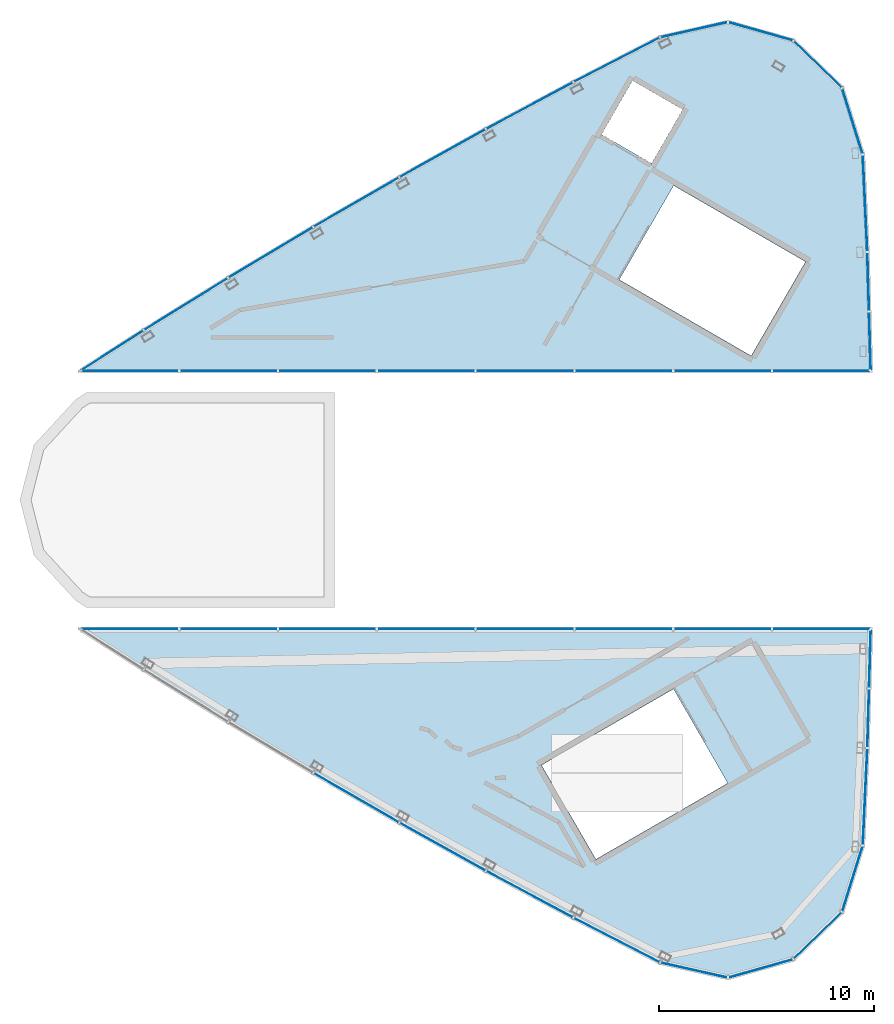
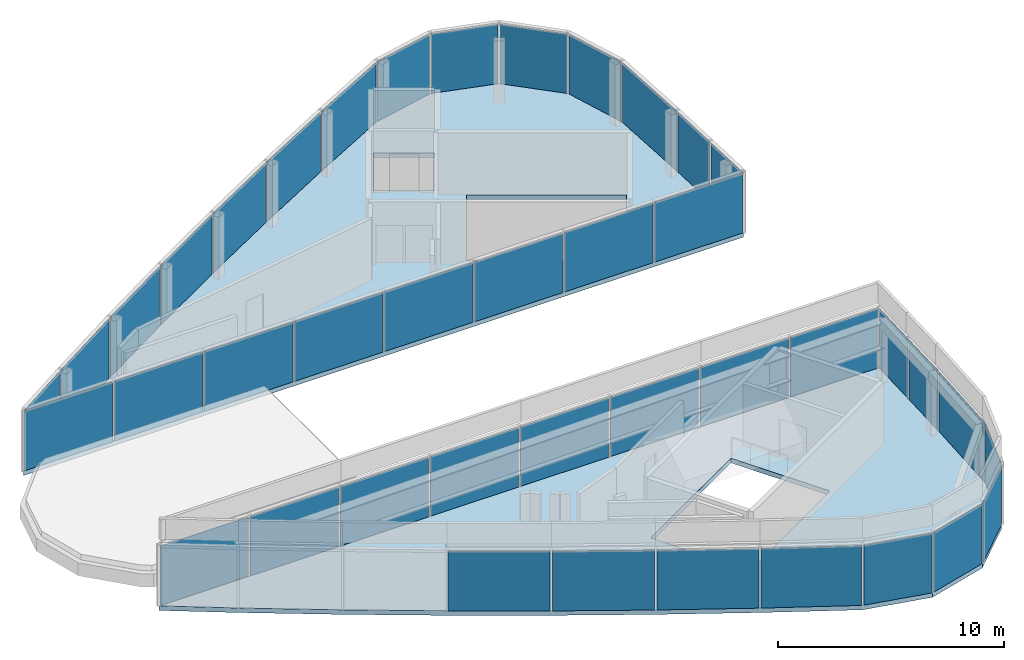
# One storey, part 4 of 7: 41 plates, 2 slabs, 2 elements without a shape of their own.
"""IFC4 building model written with IfcOpenShell, lengths in metres."""

from ifc_helpers import new_model, si_unit, direction, frame, origin, origin_2d, place, context, subcontext, project, spatial, polyline, rectangle, outline, extrude, material, layer, layer_set, type_object, element, aggregate, save


model = new_model("IFC4")

# Units and contexts
model_context = context("Model", 3, precision=1e-05, world=origin(), true_north=direction((0.0, 1.0)))
body_context = subcontext(model_context, "Body", "Model", "MODEL_VIEW")
ifc_project = project(units=[si_unit("LENGTHUNIT", "METRE"), si_unit("AREAUNIT", "SQUARE_METRE"), si_unit("VOLUMEUNIT", "CUBIC_METRE"), si_unit("PLANEANGLEUNIT", "RADIAN"), si_unit("MASSUNIT", "GRAM", prefix="KILO")], contexts=[model_context])

# Site, building, storey
site_placement = place(None, origin())
site = spatial("IfcSite", under=ifc_project, at=site_placement, CompositionType="ELEMENT")
building_placement = place(site_placement, origin())
building = spatial("IfcBuilding", under=site, at=building_placement, Name="Tamra Quay Hotel Tower", CompositionType="ELEMENT")
storey_placement = place(building_placement, frame((0.0, 0.0, 335.0)))
storey = spatial("IfcBuildingStorey", under=building, at=storey_placement, Name="Roof crown 5", CompositionType="ELEMENT", Elevation=335.0)

# Slabs
ifc_material_1 = material(Name="Concrete M60", Category="concrete")
ifc_layer_1 = layer(ifc_material_1, 0.25)
ifc_layer_set_1 = layer_set([ifc_layer_1], Name="FLOOR SLAB PT 250")
slab_type = type_object("IfcSlabType", Name="FLOOR SLAB PT 250", PredefinedType="FLOOR", material=ifc_layer_set_1)
slab_1_placement = place(storey_placement, frame((0.0, 0.0, -0.25)))
element("IfcSlab", 1, at=slab_1_placement, inside=storey, type_object=slab_type, Name="SLAB-Roofcrown5", PredefinedType="FLOOR", context=body_context, shape_type="SweptSolid", body=[
    extrude(outline(polyline([(15.555419921875, -16.063720703125), (14.5908203125, -19.149169921875), (12.3271484375, -21.351318359375), (9.288330078125, -22.21044921875), (6.134033203125, -21.503173828125), (2.10009765625, -19.419677734375), (-1.96435546875, -17.239501953125), (-5.99462890625, -14.995849609375), (-9.989501953125, -12.689453125), (-13.947509765625, -10.321044921875), (-17.867919921875, -7.89111328125), (-20.815673828125, -6.0), (15.926513671875, -6.0), (15.912109375, -6.91845703125), (15.767822265625, -11.528564453125), (15.555419921875, -16.063720703125)]), holes=[polyline([(6.75390625, -8.78759765625), (0.622314453125, -12.32763671875), (3.146728515625, -16.7001953125), (9.2783203125, -13.160400390625), (6.75390625, -8.78759765625)])]), origin(), (0.0, 0.0, 1.0), 0.25),
])
slab_2_placement = place(storey_placement, frame((0.0, 0.0, -0.25)))
element("IfcSlab", 2, at=slab_2_placement, inside=storey, type_object=slab_type, Name="SLAB-Roofcrown5-2", PredefinedType="FLOOR", context=body_context, shape_type="SweptSolid", body=[
    extrude(outline(polyline([(15.926513671875, 6.0), (-20.815673828125, 6.0), (-17.867919921875, 7.89111328125), (-13.947509765625, 10.321044921875), (-9.989501953125, 12.689453125), (-5.99462890625, 14.995849609375), (-1.96435546875, 17.239501953125), (2.10009765625, 19.419677734375), (6.134033203125, 21.503173828125), (9.288330078125, 22.21044921875), (12.3271484375, 21.351318359375), (14.5908203125, 19.149169921875), (15.555419921875, 16.063720703125), (15.767822265625, 11.528564453125), (15.912109375, 6.91845703125), (15.926513671875, 6.0)]), holes=[polyline([(6.758056640625, 14.615478515625), (4.2333984375, 10.242919921875), (10.364990234375, 6.702880859375), (12.889404296875, 11.075439453125), (6.758056640625, 14.615478515625)]), polyline([(4.8515625, 19.4931640625), (3.406494140625, 16.990234375), (5.736083984375, 15.645263671875), (7.18115234375, 18.148193359375), (4.8515625, 19.4931640625)])]), origin(), (0.0, 0.0, 1.0), 0.25),
])

# Curtain wall, plates
ifc_material_2 = material(Name="Aluminium 6063 anodised dark grey", Category="aluminium")
curtain_wall_type = type_object("IfcCurtainWallType", Name="CW6 CURTAIN WALL", PredefinedType="NOTDEFINED", material=ifc_material_2)
curtain_wall_1_placement = place(storey_placement, origin())
curtain_wall_1 = element("IfcCurtainWall", 3, at=curtain_wall_1_placement, inside=storey, type_object=curtain_wall_type, Name="CW6 lantern A face Roof crown 5", PredefinedType="NOTDEFINED")
ifc_material_3 = material(Name="Glass clear laminated low-iron", Category="glass")
ifc_layer_2 = layer(ifc_material_3, 0.030029296875)
ifc_layer_set_2 = layer_set([ifc_layer_2], Name="GLASS PANEL CW6")
plate_type = type_object("IfcPlateType", Name="GLASS PANEL CW6", PredefinedType="CURTAIN_PANEL", material=ifc_layer_set_2)
plate_1_placement = place(storey_placement, frame((15.66162109375, 13.796142578125, 0.0), z_axis=(0.0, 0.0, 1.0), x_axis=(-0.046821305973, 0.998903281257, 0.0)))
plate_1 = element("IfcPlate", 4, at=plate_1_placement, type_object=plate_type, Name="CW6 glass Roof crown 5.A.1", PredefinedType="CURTAIN_PANEL", context=body_context, shape_type="SweptSolid", body=[
    extrude(rectangle(XDim=4.440185546875, YDim=0.030029296875, at=origin_2d()), origin(), (0.0, 0.0, 1.0), 3.2099609375),
])
plate_2_placement = place(storey_placement, frame((15.072998046875, 17.6064453125, 0.0), z_axis=(0.0, 0.0, 1.0), x_axis=(-0.29839239288, 0.954443282689, 0.0)))
plate_2 = element("IfcPlate", 5, at=plate_2_placement, type_object=plate_type, Name="CW6 glass Roof crown 5.A.2", PredefinedType="CURTAIN_PANEL", context=body_context, shape_type="SweptSolid", body=[
    extrude(rectangle(XDim=3.132568359375, YDim=0.030029296875, at=origin_2d()), origin(), (0.0, 0.0, 1.0), 3.2099609375),
])
plate_3_placement = place(storey_placement, frame((13.458984375, 20.250244140625, 0.0), z_axis=(0.0, 0.0, 1.0), x_axis=(-0.716752699854, 0.69732744622, 0.0)))
plate_3 = element("IfcPlate", 6, at=plate_3_placement, type_object=plate_type, Name="CW6 glass Roof crown 5.A.3", PredefinedType="CURTAIN_PANEL", context=body_context, shape_type="SweptSolid", body=[
    extrude(rectangle(XDim=3.05810546875, YDim=0.030029296875, at=origin_2d()), origin(), (0.0, 0.0, 1.0), 3.2099609375),
])
plate_4_placement = place(storey_placement, frame((10.807861328125, 21.781005859375, 0.0), z_axis=(0.0, 0.0, 1.0), x_axis=(-0.96227963311, 0.272062323195, 0.0)))
plate_4 = element("IfcPlate", 7, at=plate_4_placement, type_object=plate_type, Name="CW6 glass Roof crown 5.A.4", PredefinedType="CURTAIN_PANEL", context=body_context, shape_type="SweptSolid", body=[
    extrude(rectangle(XDim=3.05810546875, YDim=0.030029296875, at=origin_2d()), origin(), (0.0, 0.0, 1.0), 3.2099609375),
])
plate_5_placement = place(storey_placement, frame((7.711181640625, 21.85693359375, 0.0), z_axis=(0.0, 0.0, 1.0), x_axis=(-0.975768325721, -0.218806248814, 0.0)))
plate_5 = element("IfcPlate", 8, at=plate_5_placement, type_object=plate_type, Name="CW6 glass Roof crown 5.A.5", PredefinedType="CURTAIN_PANEL", context=body_context, shape_type="SweptSolid", body=[
    extrude(rectangle(XDim=3.132568359375, YDim=0.030029296875, at=origin_2d()), origin(), (0.0, 0.0, 1.0), 3.2099609375),
])
plate_6_placement = place(storey_placement, frame((4.116943359375, 20.46142578125, 0.0), z_axis=(0.0, 0.0, 1.0), x_axis=(-0.888486270479, -0.458903200218, 0.0)))
plate_6 = element("IfcPlate", 9, at=plate_6_placement, type_object=plate_type, Name="CW6 glass Roof crown 5.A.6", PredefinedType="CURTAIN_PANEL", context=body_context, shape_type="SweptSolid", body=[
    extrude(rectangle(XDim=4.440185546875, YDim=0.030029296875, at=origin_2d()), origin(), (0.0, 0.0, 1.0), 3.2099609375),
])
plate_7_placement = place(storey_placement, frame((0.06787109375, 18.32958984375, 0.0), z_axis=(0.0, 0.0, 1.0), x_axis=(-0.881223582111, -0.472699691486, 0.0)))
plate_7 = element("IfcPlate", 10, at=plate_7_placement, type_object=plate_type, Name="CW6 glass Roof crown 5.A.7", PredefinedType="CURTAIN_PANEL", context=body_context, shape_type="SweptSolid", body=[
    extrude(rectangle(XDim=4.51220703125, YDim=0.030029296875, at=origin_2d()), origin(), (0.0, 0.0, 1.0), 3.2099609375),
])
plate_8_placement = place(storey_placement, frame((-3.9794921875, 16.11767578125, 0.0), z_axis=(0.0, 0.0, 1.0), x_axis=(-0.873735522847, -0.486401311794, 0.0)))
plate_8 = element("IfcPlate", 11, at=plate_8_placement, type_object=plate_type, Name="CW6 glass Roof crown 5.A.8", PredefinedType="CURTAIN_PANEL", context=body_context, shape_type="SweptSolid", body=[
    extrude(rectangle(XDim=4.5126953125, YDim=0.030029296875, at=origin_2d()), origin(), (0.0, 0.0, 1.0), 3.2099609375),
])
plate_9_placement = place(storey_placement, frame((-7.991943359375, 13.842529296875, 0.0), z_axis=(0.0, 0.0, 1.0), x_axis=(-0.866025403784, -0.5, 0.0)))
plate_9 = element("IfcPlate", 12, at=plate_9_placement, type_object=plate_type, Name="CW6 glass Roof crown 5.A.9", PredefinedType="CURTAIN_PANEL", context=body_context, shape_type="SweptSolid", body=[
    extrude(rectangle(XDim=4.5126953125, YDim=0.030029296875, at=origin_2d()), origin(), (0.0, 0.0, 1.0), 3.2099609375),
])
plate_10_placement = place(storey_placement, frame((-11.968505859375, 11.505126953125, 0.0), z_axis=(0.0, 0.0, 1.0), x_axis=(-0.858103653871, -0.513476503078, 0.0)))
plate_10 = element("IfcPlate", 13, at=plate_10_placement, type_object=plate_type, Name="CW6 glass Roof crown 5.A.10", PredefinedType="CURTAIN_PANEL", context=body_context, shape_type="SweptSolid", body=[
    extrude(rectangle(XDim=4.5126953125, YDim=0.030029296875, at=origin_2d()), origin(), (0.0, 0.0, 1.0), 3.2099609375),
])
plate_11_placement = place(storey_placement, frame((-15.90771484375, 9.10595703125, 0.0), z_axis=(0.0, 0.0, 1.0), x_axis=(-0.849981732244, -0.526812162779, 0.0)))
plate_11 = element("IfcPlate", 14, at=plate_11_placement, type_object=plate_type, Name="CW6 glass Roof crown 5.A.11", PredefinedType="CURTAIN_PANEL", context=body_context, shape_type="SweptSolid", body=[
    extrude(rectangle(XDim=4.51220703125, YDim=0.030029296875, at=origin_2d()), origin(), (0.0, 0.0, 1.0), 3.2099609375),
])
plate_12_placement = place(storey_placement, frame((-19.341796875, 6.945556640625, 0.0), z_axis=(0.0, 0.0, 1.0), x_axis=(-0.841664964506, -0.54000008104, 0.0)))
plate_12 = element("IfcPlate", 15, at=plate_12_placement, type_object=plate_type, Name="CW6 glass Roof crown 5.A.12", PredefinedType="CURTAIN_PANEL", context=body_context, shape_type="SweptSolid", body=[
    extrude(rectangle(XDim=3.402099609375, YDim=0.030029296875, at=origin_2d()), origin(), (0.0, 0.0, 1.0), 3.2099609375),
])
plate_13_placement = place(storey_placement, frame((-18.519287109375, 6.0, 0.0), z_axis=(0.0, 0.0, 1.0), x_axis=(1.0, 0.0, 0.0)))
plate_13 = element("IfcPlate", 16, at=plate_13_placement, type_object=plate_type, Name="CW6 glass Roof crown 5.A.13", PredefinedType="CURTAIN_PANEL", context=body_context, shape_type="SweptSolid", body=[
    extrude(rectangle(XDim=4.49267578125, YDim=0.030029296875, at=origin_2d()), origin(), (0.0, 0.0, 1.0), 3.2099609375),
])
plate_14_placement = place(storey_placement, frame((-13.926513671875, 6.0, 0.0), z_axis=(0.0, 0.0, 1.0), x_axis=(1.0, 0.0, 0.0)))
plate_14 = element("IfcPlate", 17, at=plate_14_placement, type_object=plate_type, Name="CW6 glass Roof crown 5.A.14", PredefinedType="CURTAIN_PANEL", context=body_context, shape_type="SweptSolid", body=[
    extrude(rectangle(XDim=4.49267578125, YDim=0.030029296875, at=origin_2d()), origin(), (0.0, 0.0, 1.0), 3.2099609375),
])
plate_15_placement = place(storey_placement, frame((-9.333740234375, 6.0, 0.0), z_axis=(0.0, 0.0, 1.0), x_axis=(1.0, 0.0, 0.0)))
plate_15 = element("IfcPlate", 18, at=plate_15_placement, type_object=plate_type, Name="CW6 glass Roof crown 5.A.15", PredefinedType="CURTAIN_PANEL", context=body_context, shape_type="SweptSolid", body=[
    extrude(rectangle(XDim=4.49267578125, YDim=0.030029296875, at=origin_2d()), origin(), (0.0, 0.0, 1.0), 3.2099609375),
])
plate_16_placement = place(storey_placement, frame((-4.740966796875, 6.0, 0.0), z_axis=(0.0, 0.0, 1.0), x_axis=(1.0, 0.0, 0.0)))
plate_16 = element("IfcPlate", 19, at=plate_16_placement, type_object=plate_type, Name="CW6 glass Roof crown 5.A.16", PredefinedType="CURTAIN_PANEL", context=body_context, shape_type="SweptSolid", body=[
    extrude(rectangle(XDim=4.49267578125, YDim=0.030029296875, at=origin_2d()), origin(), (0.0, 0.0, 1.0), 3.2099609375),
])
plate_17_placement = place(storey_placement, frame((-0.148193359375, 6.0, 0.0), z_axis=(0.0, 0.0, 1.0), x_axis=(1.0, 0.0, 0.0)))
plate_17 = element("IfcPlate", 20, at=plate_17_placement, type_object=plate_type, Name="CW6 glass Roof crown 5.A.17", PredefinedType="CURTAIN_PANEL", context=body_context, shape_type="SweptSolid", body=[
    extrude(rectangle(XDim=4.49267578125, YDim=0.030029296875, at=origin_2d()), origin(), (0.0, 0.0, 1.0), 3.2099609375),
])
plate_18_placement = place(storey_placement, frame((4.444580078125, 6.0, 0.0), z_axis=(0.0, 0.0, 1.0), x_axis=(1.0, 0.0, 0.0)))
plate_18 = element("IfcPlate", 21, at=plate_18_placement, type_object=plate_type, Name="CW6 glass Roof crown 5.A.18", PredefinedType="CURTAIN_PANEL", context=body_context, shape_type="SweptSolid", body=[
    extrude(rectangle(XDim=4.49267578125, YDim=0.030029296875, at=origin_2d()), origin(), (0.0, 0.0, 1.0), 3.2099609375),
])
plate_19_placement = place(storey_placement, frame((9.037353515625, 6.0, 0.0), z_axis=(0.0, 0.0, 1.0), x_axis=(1.0, 0.0, 0.0)))
plate_19 = element("IfcPlate", 22, at=plate_19_placement, type_object=plate_type, Name="CW6 glass Roof crown 5.A.19", PredefinedType="CURTAIN_PANEL", context=body_context, shape_type="SweptSolid", body=[
    extrude(rectangle(XDim=4.49267578125, YDim=0.030029296875, at=origin_2d()), origin(), (0.0, 0.0, 1.0), 3.2099609375),
])
plate_20_placement = place(storey_placement, frame((13.6298828125, 6.0, 0.0), z_axis=(0.0, 0.0, 1.0), x_axis=(1.0, 0.0, 0.0)))
plate_20 = element("IfcPlate", 23, at=plate_20_placement, type_object=plate_type, Name="CW6 glass Roof crown 5.A.20", PredefinedType="CURTAIN_PANEL", context=body_context, shape_type="SweptSolid", body=[
    extrude(rectangle(XDim=4.49267578125, YDim=0.030029296875, at=origin_2d()), origin(), (0.0, 0.0, 1.0), 3.2099609375),
])
plate_21_placement = place(storey_placement, frame((15.88671875, 7.382080078125, 0.0), z_axis=(0.0, 0.0, 1.0), x_axis=(-0.028649831581, 0.999589509324, 0.0)))
plate_21 = element("IfcPlate", 24, at=plate_21_placement, type_object=plate_type, Name="CW6 glass Roof crown 5.A.21", PredefinedType="CURTAIN_PANEL", context=body_context, shape_type="SweptSolid", body=[
    extrude(rectangle(XDim=2.665283203125, YDim=0.030029296875, at=origin_2d()), origin(), (0.0, 0.0, 1.0), 3.2099609375),
])
plate_22_placement = place(storey_placement, frame((15.8076171875, 10.146484375, 0.0), z_axis=(0.0, 0.0, 1.0), x_axis=(-0.028649831581, 0.999589509324, 0.0)))
plate_22 = element("IfcPlate", 25, at=plate_22_placement, type_object=plate_type, Name="CW6 glass Roof crown 5.A.22", PredefinedType="CURTAIN_PANEL", context=body_context, shape_type="SweptSolid", body=[
    extrude(rectangle(XDim=2.665283203125, YDim=0.030029296875, at=origin_2d()), origin(), (0.0, 0.0, 1.0), 3.2099609375),
])
aggregate(curtain_wall_1, [plate_1, plate_2, plate_3, plate_4, plate_5, plate_6, plate_7, plate_8, plate_9, plate_10, plate_11, plate_12, plate_13, plate_14, plate_15, plate_16, plate_17, plate_18, plate_19, plate_20, plate_21, plate_22])

curtain_wall_2_placement = place(storey_placement, origin())
curtain_wall_2 = element("IfcCurtainWall", 26, at=curtain_wall_2_placement, inside=storey, type_object=curtain_wall_type, Name="CW6 lantern B face Roof crown 5", PredefinedType="NOTDEFINED")
plate_23_placement = place(storey_placement, frame((13.6298828125, -6.0, 0.0), z_axis=(0.0, 0.0, 1.0), x_axis=(-1.0, 0.0, 0.0)))
plate_23 = element("IfcPlate", 27, at=plate_23_placement, type_object=plate_type, Name="CW6 glass Roof crown 5.B.1", PredefinedType="CURTAIN_PANEL", context=body_context, shape_type="SweptSolid", body=[
    extrude(rectangle(XDim=4.49267578125, YDim=0.030029296875, at=origin_2d()), origin(), (0.0, 0.0, 1.0), 3.2099609375),
])
plate_24_placement = place(storey_placement, frame((9.037353515625, -6.0, 0.0), z_axis=(0.0, 0.0, 1.0), x_axis=(-1.0, 0.0, 0.0)))
plate_24 = element("IfcPlate", 28, at=plate_24_placement, type_object=plate_type, Name="CW6 glass Roof crown 5.B.2", PredefinedType="CURTAIN_PANEL", context=body_context, shape_type="SweptSolid", body=[
    extrude(rectangle(XDim=4.49267578125, YDim=0.030029296875, at=origin_2d()), origin(), (0.0, 0.0, 1.0), 3.2099609375),
])
plate_25_placement = place(storey_placement, frame((4.444580078125, -6.0, 0.0), z_axis=(0.0, 0.0, 1.0), x_axis=(-1.0, 0.0, 0.0)))
plate_25 = element("IfcPlate", 29, at=plate_25_placement, type_object=plate_type, Name="CW6 glass Roof crown 5.B.3", PredefinedType="CURTAIN_PANEL", context=body_context, shape_type="SweptSolid", body=[
    extrude(rectangle(XDim=4.49267578125, YDim=0.030029296875, at=origin_2d()), origin(), (0.0, 0.0, 1.0), 3.2099609375),
])
plate_26_placement = place(storey_placement, frame((-0.148193359375, -6.0, 0.0), z_axis=(0.0, 0.0, 1.0), x_axis=(-1.0, 0.0, 0.0)))
plate_26 = element("IfcPlate", 30, at=plate_26_placement, type_object=plate_type, Name="CW6 glass Roof crown 5.B.4", PredefinedType="CURTAIN_PANEL", context=body_context, shape_type="SweptSolid", body=[
    extrude(rectangle(XDim=4.49267578125, YDim=0.030029296875, at=origin_2d()), origin(), (0.0, 0.0, 1.0), 3.2099609375),
])
plate_27_placement = place(storey_placement, frame((-4.740966796875, -6.0, 0.0), z_axis=(0.0, 0.0, 1.0), x_axis=(-1.0, 0.0, 0.0)))
plate_27 = element("IfcPlate", 31, at=plate_27_placement, type_object=plate_type, Name="CW6 glass Roof crown 5.B.5", PredefinedType="CURTAIN_PANEL", context=body_context, shape_type="SweptSolid", body=[
    extrude(rectangle(XDim=4.49267578125, YDim=0.030029296875, at=origin_2d()), origin(), (0.0, 0.0, 1.0), 3.2099609375),
])
plate_28_placement = place(storey_placement, frame((-9.333740234375, -6.0, 0.0), z_axis=(0.0, 0.0, 1.0), x_axis=(-1.0, 0.0, 0.0)))
plate_28 = element("IfcPlate", 32, at=plate_28_placement, type_object=plate_type, Name="CW6 glass Roof crown 5.B.6", PredefinedType="CURTAIN_PANEL", context=body_context, shape_type="SweptSolid", body=[
    extrude(rectangle(XDim=4.49267578125, YDim=0.030029296875, at=origin_2d()), origin(), (0.0, 0.0, 1.0), 3.2099609375),
])
plate_29_placement = place(storey_placement, frame((-13.926513671875, -6.0, 0.0), z_axis=(0.0, 0.0, 1.0), x_axis=(-1.0, 0.0, 0.0)))
plate_29 = element("IfcPlate", 33, at=plate_29_placement, type_object=plate_type, Name="CW6 glass Roof crown 5.B.7", PredefinedType="CURTAIN_PANEL", context=body_context, shape_type="SweptSolid", body=[
    extrude(rectangle(XDim=4.49267578125, YDim=0.030029296875, at=origin_2d()), origin(), (0.0, 0.0, 1.0), 3.2099609375),
])
plate_30_placement = place(storey_placement, frame((-18.519287109375, -6.0, 0.0), z_axis=(0.0, 0.0, 1.0), x_axis=(-1.0, 0.0, 0.0)))
plate_30 = element("IfcPlate", 34, at=plate_30_placement, type_object=plate_type, Name="CW6 glass Roof crown 5.B.8", PredefinedType="CURTAIN_PANEL", context=body_context, shape_type="SweptSolid", body=[
    extrude(rectangle(XDim=4.49267578125, YDim=0.030029296875, at=origin_2d()), origin(), (0.0, 0.0, 1.0), 3.2099609375),
])
plate_31_placement = place(storey_placement, frame((-7.991943359375, -13.842529296875, 0.0), z_axis=(0.0, 0.0, 1.0), x_axis=(0.866025403784, -0.5, 0.0)))
plate_31 = element("IfcPlate", 35, at=plate_31_placement, type_object=plate_type, Name="CW6 glass Roof crown 5.B.12", PredefinedType="CURTAIN_PANEL", context=body_context, shape_type="SweptSolid", body=[
    extrude(rectangle(XDim=4.5126953125, YDim=0.030029296875, at=origin_2d()), origin(), (0.0, 0.0, 1.0), 3.2099609375),
])
plate_32_placement = place(storey_placement, frame((-3.9794921875, -16.11767578125, 0.0), z_axis=(0.0, 0.0, 1.0), x_axis=(0.873735522847, -0.486401311794, 0.0)))
plate_32 = element("IfcPlate", 36, at=plate_32_placement, type_object=plate_type, Name="CW6 glass Roof crown 5.B.13", PredefinedType="CURTAIN_PANEL", context=body_context, shape_type="SweptSolid", body=[
    extrude(rectangle(XDim=4.5126953125, YDim=0.030029296875, at=origin_2d()), origin(), (0.0, 0.0, 1.0), 3.2099609375),
])
plate_33_placement = place(storey_placement, frame((0.06787109375, -18.32958984375, 0.0), z_axis=(0.0, 0.0, 1.0), x_axis=(0.881223582111, -0.472699691486, 0.0)))
plate_33 = element("IfcPlate", 37, at=plate_33_placement, type_object=plate_type, Name="CW6 glass Roof crown 5.B.14", PredefinedType="CURTAIN_PANEL", context=body_context, shape_type="SweptSolid", body=[
    extrude(rectangle(XDim=4.51220703125, YDim=0.030029296875, at=origin_2d()), origin(), (0.0, 0.0, 1.0), 3.2099609375),
])
plate_34_placement = place(storey_placement, frame((4.116943359375, -20.46142578125, 0.0), z_axis=(0.0, 0.0, 1.0), x_axis=(0.888486270479, -0.458903200218, 0.0)))
plate_34 = element("IfcPlate", 38, at=plate_34_placement, type_object=plate_type, Name="CW6 glass Roof crown 5.B.15", PredefinedType="CURTAIN_PANEL", context=body_context, shape_type="SweptSolid", body=[
    extrude(rectangle(XDim=4.440185546875, YDim=0.030029296875, at=origin_2d()), origin(), (0.0, 0.0, 1.0), 3.2099609375),
])
plate_35_placement = place(storey_placement, frame((7.711181640625, -21.85693359375, 0.0), z_axis=(0.0, 0.0, 1.0), x_axis=(0.975768325721, -0.218806248814, 0.0)))
plate_35 = element("IfcPlate", 39, at=plate_35_placement, type_object=plate_type, Name="CW6 glass Roof crown 5.B.16", PredefinedType="CURTAIN_PANEL", context=body_context, shape_type="SweptSolid", body=[
    extrude(rectangle(XDim=3.132568359375, YDim=0.030029296875, at=origin_2d()), origin(), (0.0, 0.0, 1.0), 3.2099609375),
])
plate_36_placement = place(storey_placement, frame((10.807861328125, -21.781005859375, 0.0), z_axis=(0.0, 0.0, 1.0), x_axis=(0.96227963311, 0.272062323195, 0.0)))
plate_36 = element("IfcPlate", 40, at=plate_36_placement, type_object=plate_type, Name="CW6 glass Roof crown 5.B.17", PredefinedType="CURTAIN_PANEL", context=body_context, shape_type="SweptSolid", body=[
    extrude(rectangle(XDim=3.05810546875, YDim=0.030029296875, at=origin_2d()), origin(), (0.0, 0.0, 1.0), 3.2099609375),
])
plate_37_placement = place(storey_placement, frame((13.458984375, -20.250244140625, 0.0), z_axis=(0.0, 0.0, 1.0), x_axis=(0.716752699854, 0.69732744622, 0.0)))
plate_37 = element("IfcPlate", 41, at=plate_37_placement, type_object=plate_type, Name="CW6 glass Roof crown 5.B.18", PredefinedType="CURTAIN_PANEL", context=body_context, shape_type="SweptSolid", body=[
    extrude(rectangle(XDim=3.05810546875, YDim=0.030029296875, at=origin_2d()), origin(), (0.0, 0.0, 1.0), 3.2099609375),
])
plate_38_placement = place(storey_placement, frame((15.072998046875, -17.6064453125, 0.0), z_axis=(0.0, 0.0, 1.0), x_axis=(0.29839239288, 0.954443282689, 0.0)))
plate_38 = element("IfcPlate", 42, at=plate_38_placement, type_object=plate_type, Name="CW6 glass Roof crown 5.B.19", PredefinedType="CURTAIN_PANEL", context=body_context, shape_type="SweptSolid", body=[
    extrude(rectangle(XDim=3.132568359375, YDim=0.030029296875, at=origin_2d()), origin(), (0.0, 0.0, 1.0), 3.2099609375),
])
plate_39_placement = place(storey_placement, frame((15.66162109375, -13.796142578125, 0.0), z_axis=(0.0, 0.0, 1.0), x_axis=(0.046821305973, 0.998903281257, 0.0)))
plate_39 = element("IfcPlate", 43, at=plate_39_placement, type_object=plate_type, Name="CW6 glass Roof crown 5.B.20", PredefinedType="CURTAIN_PANEL", context=body_context, shape_type="SweptSolid", body=[
    extrude(rectangle(XDim=4.440185546875, YDim=0.030029296875, at=origin_2d()), origin(), (0.0, 0.0, 1.0), 3.2099609375),
])
plate_40_placement = place(storey_placement, frame((15.8076171875, -10.146484375, 0.0), z_axis=(0.0, 0.0, 1.0), x_axis=(0.028649831581, 0.999589509324, 0.0)))
plate_40 = element("IfcPlate", 44, at=plate_40_placement, type_object=plate_type, Name="CW6 glass Roof crown 5.B.21", PredefinedType="CURTAIN_PANEL", context=body_context, shape_type="SweptSolid", body=[
    extrude(rectangle(XDim=2.665283203125, YDim=0.030029296875, at=origin_2d()), origin(), (0.0, 0.0, 1.0), 3.2099609375),
])
plate_41_placement = place(storey_placement, frame((15.88671875, -7.382080078125, 0.0), z_axis=(0.0, 0.0, 1.0), x_axis=(0.028649831581, 0.999589509324, 0.0)))
plate_41 = element("IfcPlate", 45, at=plate_41_placement, type_object=plate_type, Name="CW6 glass Roof crown 5.B.22", PredefinedType="CURTAIN_PANEL", context=body_context, shape_type="SweptSolid", body=[
    extrude(rectangle(XDim=2.665283203125, YDim=0.030029296875, at=origin_2d()), origin(), (0.0, 0.0, 1.0), 3.2099609375),
])
aggregate(curtain_wall_2, [plate_23, plate_24, plate_25, plate_26, plate_27, plate_28, plate_29, plate_30, plate_31, plate_32, plate_33, plate_34, plate_35, plate_36, plate_37, plate_38, plate_39, plate_40, plate_41])

save(model, "model.ifc")
